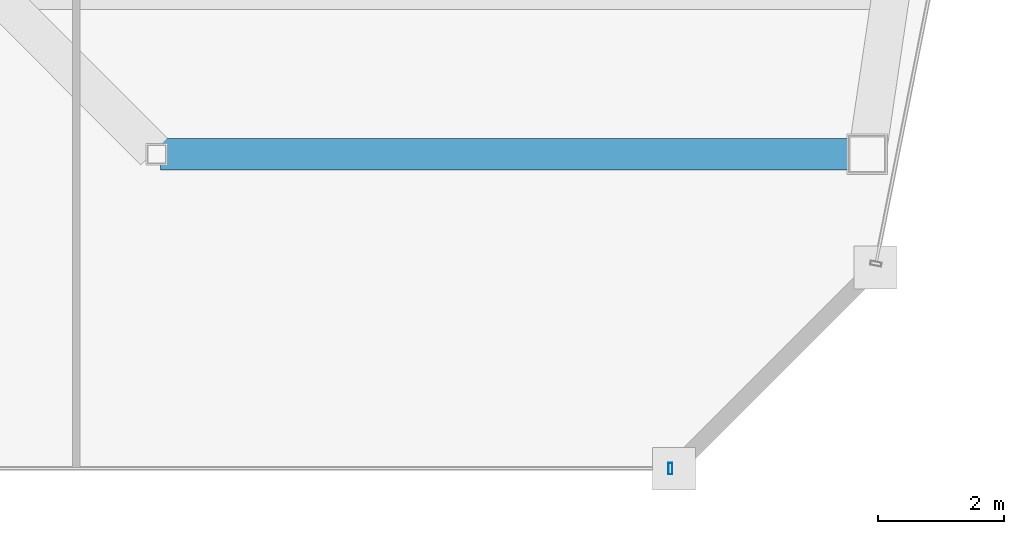
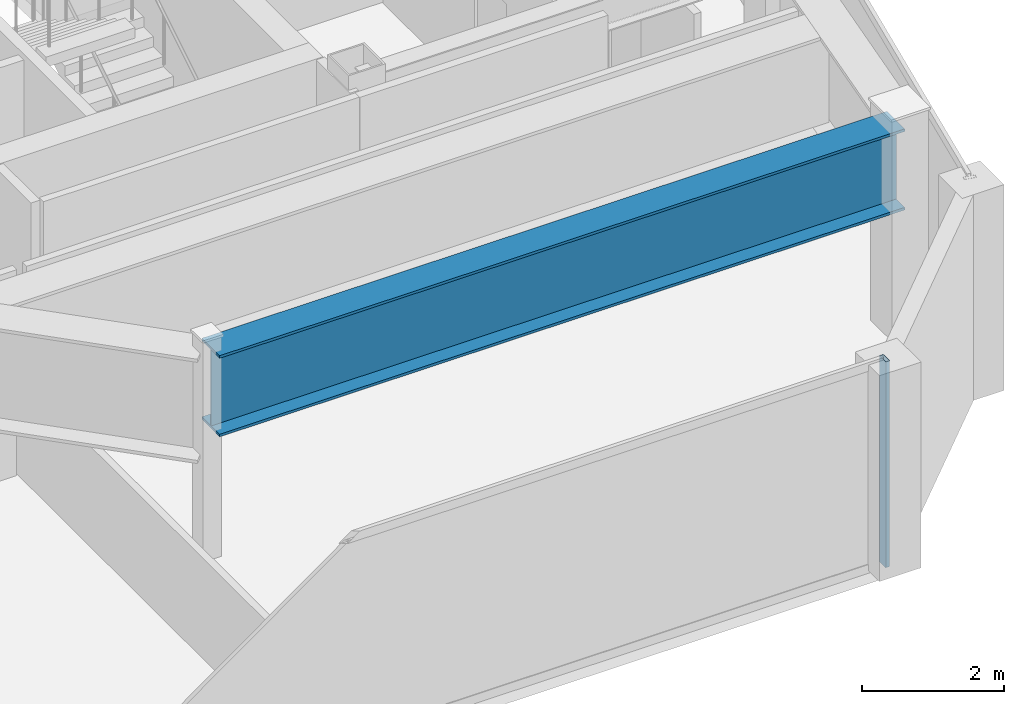
# One storey, part 13 of 24: 1 beam, 1 member, 1 element without a shape of its own.
"""IFC4 building model written with IfcOpenShell, lengths in metres."""

from ifc_helpers import new_model, si_unit, direction, frame, origin, origin_2d, place, context, subcontext, project, spatial, hollow_rectangle, i_section, extrude, material, material_profile, profile_set, type_object, element, aggregate, save


model = new_model("IFC4")

# Units and contexts
model_context = context("Model", 3, precision=1e-05, world=origin(), true_north=direction((0.0, 1.0)))
body_context = subcontext(model_context, "Body", "Model", "MODEL_VIEW")
ifc_project = project(units=[si_unit("LENGTHUNIT", "METRE"), si_unit("AREAUNIT", "SQUARE_METRE"), si_unit("VOLUMEUNIT", "CUBIC_METRE"), si_unit("PLANEANGLEUNIT", "RADIAN"), si_unit("MASSUNIT", "GRAM", prefix="KILO")], contexts=[model_context])

# Site, building, storey
site_placement = place(None, origin())
site = spatial("IfcSite", under=ifc_project, at=site_placement, CompositionType="ELEMENT")
building_placement = place(site_placement, origin())
building = spatial("IfcBuilding", under=site, at=building_placement, Name="Saevonmaru Cultural Tower", CompositionType="ELEMENT")
storey_placement = place(building_placement, frame((0.0, 0.0, 306.60009765625)))
storey = spatial("IfcBuildingStorey", under=building, at=storey_placement, Name="L73", CompositionType="ELEMENT", Elevation=306.60009765625)

# Beam
ifc_material_1 = material(Name="Steel HSA600 (600 MPa)", Category="steel")
ifc_material_profile_1 = material_profile(ifc_material_1, i_section(OverallWidth=0.5, OverallDepth=1.39990234375, WebThickness=0.02392578125, FlangeThickness=0.044921875, at=origin_2d()), Name="PG-1400x500x24x45")
ifc_profile_set_1 = profile_set([ifc_material_profile_1], Name="Steel HSA600 (600 MPa)")
beam_type = type_object("IfcBeamType", Name="BM-TG-PG1400", PredefinedType="BEAM", material=ifc_profile_set_1)
beam_placement = place(storey_placement, frame((41.251953125, 37.60009765625, 2.849853515625), z_axis=(1.0, 0.0, 0.0), x_axis=(0.0, 1.0, 0.0)))
element("IfcBeam", 1, at=beam_placement, inside=storey, type_object=beam_type, Name="L73 East Wing Transverse Girder 1", PredefinedType="BEAM", context=body_context, shape_type="SweptSolid", body=[
    extrude(i_section(OverallWidth=0.5, OverallDepth=1.39990234375, WebThickness=0.02392578125, FlangeThickness=0.044921875, at=origin_2d()), origin(), (0.0, 0.0, 1.0), 11.179931640625),
])

# Curtain wall, member
ifc_material_2 = material(Name="Satin Bronze Anodised Aluminium", Category="aluminium")
curtain_wall_type = type_object("IfcCurtainWallType", Name="CW-TYP-B", PredefinedType="NOTDEFINED", material=ifc_material_2)
curtain_wall_placement = place(storey_placement, origin())
curtain_wall = element("IfcCurtainWall", 2, at=curtain_wall_placement, inside=storey, type_object=curtain_wall_type, Name="L73 Unitised Curtain Wall E6", PredefinedType="NOTDEFINED")
ifc_material_profile_2 = material_profile(ifc_material_2, hollow_rectangle(XDim=0.06494140625, YDim=0.179931640625, WallThickness=0.00390625, at=origin_2d()), Name="ALU-MULL-180x65x4")
ifc_profile_set_2 = profile_set([ifc_material_profile_2], Name="Satin Bronze Anodised Aluminium")
member_type = type_object("IfcMemberType", Name="ML-CW-180x65", PredefinedType="MULLION", material=ifc_profile_set_2)
member_placement = place(storey_placement, frame((49.360107421875, 32.60009765625, 0.0), z_axis=(0.0, 0.0, 1.0), x_axis=(1.0, 0.0, 0.0)))
member = element("IfcMember", 3, at=member_placement, type_object=member_type, Name="CW-TW-L73-E6 mullion 2", PredefinedType="MULLION", context=body_context, shape_type="SweptSolid", body=[
    extrude(hollow_rectangle(XDim=0.06494140625, YDim=0.179931640625, WallThickness=0.00390625, at=origin_2d()), origin(), (0.0, 0.0, 1.0), 3.5498046875),
])
aggregate(curtain_wall, [member])

save(model, "model.ifc")
